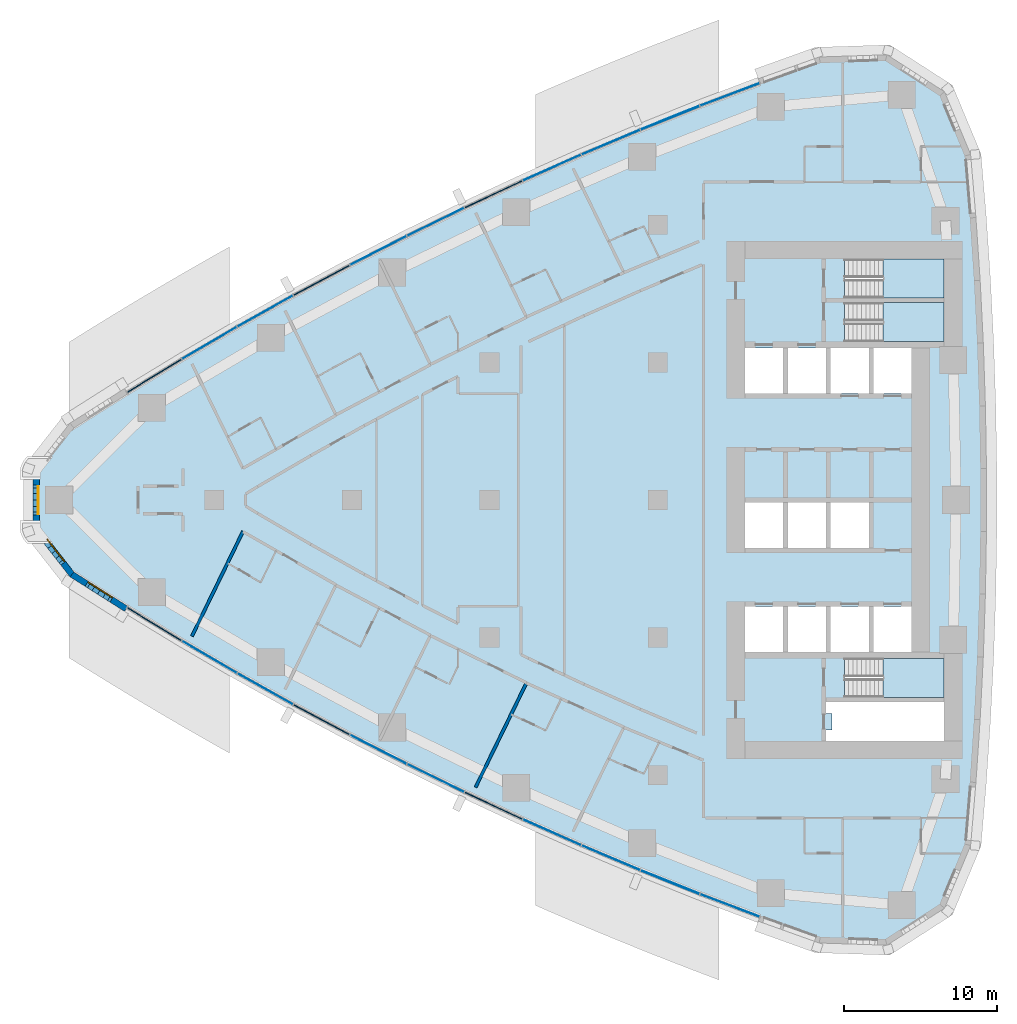
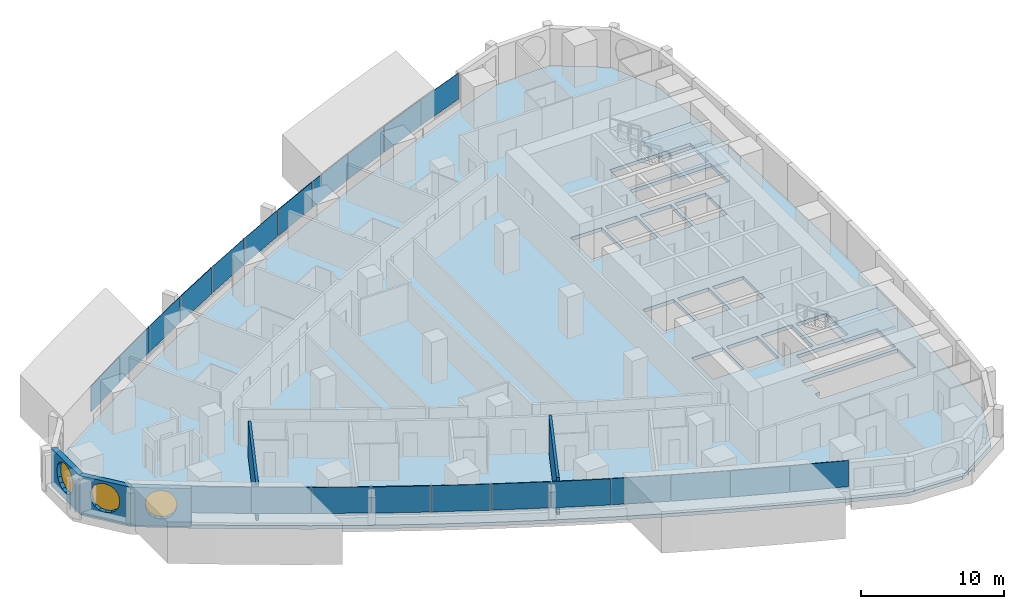
# One storey, part 8 of 19: 22 plates, 5 walls, 4 slabs, 3 windows, 4 openings, 13 elements without a shape of their own.
"""IFC4 building model written with IfcOpenShell, lengths in metres."""

from ifc_helpers import new_model, si_unit, direction, frame, frame_2d, origin, origin_2d, place, context, subcontext, project, spatial, polyline, rectangle, outline, extrude, material, layer, layer_set, type_object, element, fill, aggregate, save


model = new_model("IFC4")

# Units and contexts
model_context = context("Model", 3, precision=1e-05, world=origin(), true_north=direction((0.0, 1.0)))
body_context = subcontext(model_context, "Body", "Model", "MODEL_VIEW")
ifc_project = project(units=[si_unit("LENGTHUNIT", "METRE"), si_unit("AREAUNIT", "SQUARE_METRE"), si_unit("VOLUMEUNIT", "CUBIC_METRE"), si_unit("PLANEANGLEUNIT", "RADIAN"), si_unit("MASSUNIT", "GRAM", prefix="KILO")], contexts=[model_context])

# Site, building, storey
site_placement = place(None, origin())
site = spatial("IfcSite", under=ifc_project, at=site_placement, CompositionType="ELEMENT")
building_placement = place(site_placement, origin())
building = spatial("IfcBuilding", under=site, at=building_placement, Name="Ostrand Prow Hotel Tower", CompositionType="ELEMENT")
storey_placement = place(building_placement, frame((0.0, 0.0, 71.550048828125)))
storey = spatial("IfcBuildingStorey", under=building, at=storey_placement, Name="L16", CompositionType="ELEMENT", Elevation=71.550048828125)

# Curtain wall, plate
ifc_material_1 = material(Name="Insulated glass in bronze anodised frame", Category="glass")
ifc_layer_1 = layer(ifc_material_1, 0.199951171875)
ifc_layer_set_1 = layer_set([ifc_layer_1], Name="Insulated glass in bronze anodised frame")
curtain_wall_type = type_object("IfcCurtainWallType", Name="Strip curtain wall, fritted glass over bronze spandrel", PredefinedType="NOTDEFINED", material=ifc_layer_set_1)
curtain_wall_1_placement = place(storey_placement, origin())
curtain_wall_1 = element("IfcCurtainWall", 1, at=curtain_wall_1_placement, inside=storey, type_object=curtain_wall_type, Name="CW1 run CWS1", PredefinedType="NOTDEFINED")
ifc_material_2 = material(Name="Ceramic-fritted glass", Category="glass")
ifc_layer_2 = layer(ifc_material_2, 0.031982421875)
ifc_layer_set_2 = layer_set([ifc_layer_2], Name="Ceramic-fritted glass")
plate_type_1 = type_object("IfcPlateType", Name="Dot-fritted ceramic glass unit 32 mm", PredefinedType="CURTAIN_PANEL", material=ifc_layer_set_2)
plate_1_placement = place(storey_placement, frame((15.688720703125, -10.268798828125, 1.02001953125), z_axis=(0.0, 0.0, 1.0), x_axis=(0.863690392896, -0.50402272292, 0.0)))
plate_1 = element("IfcPlate", 2, at=plate_1_placement, type_object=plate_type_1, Name="CW1 PN-D panel 2.2", PredefinedType="CURTAIN_PANEL", context=body_context, shape_type="SweptSolid", body=[
    extrude(rectangle(XDim=4.13427734375, YDim=0.031982421875, at=origin_2d()), origin(), (0.0, 0.0, 1.0), 2.22998046875),
])

# Curtain wall, plates
curtain_wall_2_placement = place(storey_placement, origin())
curtain_wall_2 = element("IfcCurtainWall", 3, at=curtain_wall_2_placement, inside=storey, type_object=curtain_wall_type, Name="CW1 run CWS2", PredefinedType="NOTDEFINED")
plate_2_placement = place(storey_placement, frame((19.33056640625, -12.349365234375, 1.02001953125), z_axis=(0.0, 0.0, 1.0), x_axis=(0.872819029241, -0.488043996167, 0.0)))
plate_2 = element("IfcPlate", 4, at=plate_2_placement, type_object=plate_type_1, Name="CW1 PN-D panel 1.2", PredefinedType="CURTAIN_PANEL", context=body_context, shape_type="SweptSolid", body=[
    extrude(rectangle(XDim=4.13427734375, YDim=0.031982421875, at=origin_2d()), origin(), (0.0, 0.0, 1.0), 2.22998046875),
])
plate_3_placement = place(storey_placement, frame((26.7255859375, -16.3076171875, 1.02001953125), z_axis=(0.0, 0.0, 1.0), x_axis=(0.890186565631, -0.455596179055, 0.0)))
plate_3 = element("IfcPlate", 5, at=plate_3_placement, type_object=plate_type_1, Name="CW1 PN-D panel 3.2", PredefinedType="CURTAIN_PANEL", context=body_context, shape_type="SweptSolid", body=[
    extrude(rectangle(XDim=4.13427734375, YDim=0.031982421875, at=origin_2d()), origin(), (0.0, 0.0, 1.0), 2.22998046875),
])

# Curtain wall, plate
curtain_wall_3_placement = place(storey_placement, origin())
curtain_wall_3 = element("IfcCurtainWall", 6, at=curtain_wall_3_placement, inside=storey, type_object=curtain_wall_type, Name="CW1 run CWS3", PredefinedType="NOTDEFINED")
plate_4_placement = place(storey_placement, frame((30.4765625, -18.183837890625, 1.02001953125), z_axis=(0.0, 0.0, 1.0), x_axis=(0.898419584131, -0.439138077204, 0.0)))
plate_4 = element("IfcPlate", 7, at=plate_4_placement, type_object=plate_type_1, Name="CW1 PN-D panel 1.2", PredefinedType="CURTAIN_PANEL", context=body_context, shape_type="SweptSolid", body=[
    extrude(rectangle(XDim=4.13427734375, YDim=0.031982421875, at=origin_2d()), origin(), (0.0, 0.0, 1.0), 2.22998046875),
])

# Curtain wall, plates
curtain_wall_4_placement = place(storey_placement, origin())
curtain_wall_4 = element("IfcCurtainWall", 8, at=curtain_wall_4_placement, inside=storey, type_object=curtain_wall_type, Name="CW1 run CWS4", PredefinedType="NOTDEFINED")
plate_5_placement = place(storey_placement, frame((38.078857421875, -21.72802734375, 1.02001953125), z_axis=(0.0, 0.0, 1.0), x_axis=(0.913970890274, -0.405779757666, 0.0)))
plate_5 = element("IfcPlate", 9, at=plate_5_placement, type_object=plate_type_1, Name="CW1 PN-D panel 1.2", PredefinedType="CURTAIN_PANEL", context=body_context, shape_type="SweptSolid", body=[
    extrude(rectangle(XDim=4.13427734375, YDim=0.031982421875, at=origin_2d()), origin(), (0.0, 0.0, 1.0), 2.22998046875),
])
plate_6_placement = place(storey_placement, frame((41.927490234375, -23.39453125, 1.02001953125), z_axis=(0.0, 0.0, 1.0), x_axis=(0.921283173987, -0.388892418709, 0.0)))
plate_6 = element("IfcPlate", 10, at=plate_6_placement, type_object=plate_type_1, Name="CW1 PN-D panel 2.2", PredefinedType="CURTAIN_PANEL", context=body_context, shape_type="SweptSolid", body=[
    extrude(rectangle(XDim=4.13427734375, YDim=0.031982421875, at=origin_2d()), origin(), (0.0, 0.0, 1.0), 2.22998046875),
])
aggregate(curtain_wall_4, [plate_5, plate_6])

# Curtain wall, plate
curtain_wall_5_placement = place(storey_placement, origin())
curtain_wall_5 = element("IfcCurtainWall", 11, at=curtain_wall_5_placement, inside=storey, type_object=curtain_wall_type, Name="CW1 run CWS5", PredefinedType="NOTDEFINED")
plate_7_placement = place(storey_placement, frame((49.7138671875, -26.513671875, 1.02001953125), z_axis=(0.0, 0.0, 1.0), x_axis=(0.934969388384, -0.354728407072, 0.0)))
plate_7 = element("IfcPlate", 12, at=plate_7_placement, type_object=plate_type_1, Name="CW1 PN-D panel 2.2", PredefinedType="CURTAIN_PANEL", context=body_context, shape_type="SweptSolid", body=[
    extrude(rectangle(XDim=4.13427734375, YDim=0.031982421875, at=origin_2d()), origin(), (0.0, 0.0, 1.0), 2.22998046875),
])

curtain_wall_6_placement = place(storey_placement, origin())
curtain_wall_6 = element("IfcCurtainWall", 13, at=curtain_wall_6_placement, inside=storey, type_object=curtain_wall_type, Name="CW1 run CWN1", PredefinedType="NOTDEFINED")
plate_8_placement = place(storey_placement, frame((49.7138671875, 26.513671875, 1.02001953125), z_axis=(0.0, 0.0, 1.0), x_axis=(-0.934969388384, -0.354728407072, 0.0)))
plate_8 = element("IfcPlate", 14, at=plate_8_placement, type_object=plate_type_1, Name="CW1 PN-D panel 1.2", PredefinedType="CURTAIN_PANEL", context=body_context, shape_type="SweptSolid", body=[
    extrude(rectangle(XDim=4.13427734375, YDim=0.031982421875, at=origin_2d()), origin(), (0.0, 0.0, 1.0), 2.22998046875),
])

# Curtain wall, plates
curtain_wall_7_placement = place(storey_placement, origin())
curtain_wall_7 = element("IfcCurtainWall", 15, at=curtain_wall_7_placement, inside=storey, type_object=curtain_wall_type, Name="CW1 run CWN2", PredefinedType="NOTDEFINED")
plate_9_placement = place(storey_placement, frame((41.927490234375, 23.39453125, 1.02001953125), z_axis=(0.0, 0.0, 1.0), x_axis=(-0.921283173987, -0.388892418709, 0.0)))
plate_9 = element("IfcPlate", 16, at=plate_9_placement, type_object=plate_type_1, Name="CW1 PN-D panel 1.2", PredefinedType="CURTAIN_PANEL", context=body_context, shape_type="SweptSolid", body=[
    extrude(rectangle(XDim=4.13427734375, YDim=0.031982421875, at=origin_2d()), origin(), (0.0, 0.0, 1.0), 2.22998046875),
])
plate_10_placement = place(storey_placement, frame((38.078857421875, 21.72802734375, 1.02001953125), z_axis=(0.0, 0.0, 1.0), x_axis=(-0.913970890274, -0.405779757666, 0.0)))
plate_10 = element("IfcPlate", 17, at=plate_10_placement, type_object=plate_type_1, Name="CW1 PN-D panel 2.2", PredefinedType="CURTAIN_PANEL", context=body_context, shape_type="SweptSolid", body=[
    extrude(rectangle(XDim=4.13427734375, YDim=0.031982421875, at=origin_2d()), origin(), (0.0, 0.0, 1.0), 2.22998046875),
])
aggregate(curtain_wall_7, [plate_9, plate_10])

# Curtain wall, plate
curtain_wall_8_placement = place(storey_placement, origin())
curtain_wall_8 = element("IfcCurtainWall", 18, at=curtain_wall_8_placement, inside=storey, type_object=curtain_wall_type, Name="CW1 run CWN3", PredefinedType="NOTDEFINED")
plate_11_placement = place(storey_placement, frame((30.4765625, 18.183837890625, 1.02001953125), z_axis=(0.0, 0.0, 1.0), x_axis=(-0.898419584131, -0.439138077204, 0.0)))
plate_11 = element("IfcPlate", 19, at=plate_11_placement, type_object=plate_type_1, Name="CW1 PN-D panel 2.2", PredefinedType="CURTAIN_PANEL", context=body_context, shape_type="SweptSolid", body=[
    extrude(rectangle(XDim=4.13427734375, YDim=0.031982421875, at=origin_2d()), origin(), (0.0, 0.0, 1.0), 2.22998046875),
])

# Curtain wall, plates
curtain_wall_9_placement = place(storey_placement, origin())
curtain_wall_9 = element("IfcCurtainWall", 20, at=curtain_wall_9_placement, inside=storey, type_object=curtain_wall_type, Name="CW1 run CWN4", PredefinedType="NOTDEFINED")
plate_12_placement = place(storey_placement, frame((26.7255859375, 16.3076171875, 1.02001953125), z_axis=(0.0, 0.0, 1.0), x_axis=(-0.890186565631, -0.455596179055, 0.0)))
plate_12 = element("IfcPlate", 21, at=plate_12_placement, type_object=plate_type_1, Name="CW1 PN-D panel 1.2", PredefinedType="CURTAIN_PANEL", context=body_context, shape_type="SweptSolid", body=[
    extrude(rectangle(XDim=4.13427734375, YDim=0.031982421875, at=origin_2d()), origin(), (0.0, 0.0, 1.0), 2.22998046875),
])
plate_13_placement = place(storey_placement, frame((19.33056640625, 12.349365234375, 1.02001953125), z_axis=(0.0, 0.0, 1.0), x_axis=(-0.872819029241, -0.488043996167, 0.0)))
plate_13 = element("IfcPlate", 22, at=plate_13_placement, type_object=plate_type_1, Name="CW1 PN-D panel 3.2", PredefinedType="CURTAIN_PANEL", context=body_context, shape_type="SweptSolid", body=[
    extrude(rectangle(XDim=4.13427734375, YDim=0.031982421875, at=origin_2d()), origin(), (0.0, 0.0, 1.0), 2.22998046875),
])

# Curtain wall, plate
curtain_wall_10_placement = place(storey_placement, origin())
curtain_wall_10 = element("IfcCurtainWall", 23, at=curtain_wall_10_placement, inside=storey, type_object=curtain_wall_type, Name="CW1 run CWN5", PredefinedType="NOTDEFINED")
plate_14_placement = place(storey_placement, frame((15.688720703125, 10.268798828125, 1.02001953125), z_axis=(0.0, 0.0, 1.0), x_axis=(-0.863690392896, -0.50402272292, 0.0)))
plate_14 = element("IfcPlate", 24, at=plate_14_placement, type_object=plate_type_1, Name="CW1 PN-D panel 1.2", PredefinedType="CURTAIN_PANEL", context=body_context, shape_type="SweptSolid", body=[
    extrude(rectangle(XDim=4.13427734375, YDim=0.031982421875, at=origin_2d()), origin(), (0.0, 0.0, 1.0), 2.22998046875),
])

# Plate
ifc_material_3 = material(Name="Fritted glass in bronze vent frame", Category="glass")
ifc_layer_3 = layer(ifc_material_3, 0.06005859375)
ifc_layer_set_3 = layer_set([ifc_layer_3], Name="Fritted glass in bronze vent frame")
plate_type_2 = type_object("IfcPlateType", Name="Operable vent panel 60 mm", PredefinedType="CURTAIN_PANEL", material=ifc_layer_set_3)
plate_15_placement = place(storey_placement, frame((12.0859375, -8.12158203125, 1.02001953125), z_axis=(0.0, 0.0, 1.0), x_axis=(0.854269266322, -0.519830761515, 0.0)))
plate_15 = element("IfcPlate", 25, at=plate_15_placement, type_object=plate_type_2, Name="CW1 PN-O panel 1.2", PredefinedType="CURTAIN_PANEL", context=body_context, shape_type="SweptSolid", body=[
    extrude(rectangle(XDim=4.13427734375, YDim=0.06005859375, at=origin_2d()), origin(), (0.0, 0.0, 1.0), 2.22998046875),
])

aggregate(curtain_wall_1, [plate_15, plate_1])

plate_16_placement = place(storey_placement, frame((23.009765625, -14.362548828125, 1.02001953125), z_axis=(0.0, 0.0, 1.0), x_axis=(0.881652083929, -0.471899992481, 0.0)))
plate_16 = element("IfcPlate", 26, at=plate_16_placement, type_object=plate_type_2, Name="CW1 PN-O panel 2.2", PredefinedType="CURTAIN_PANEL", context=body_context, shape_type="SweptSolid", body=[
    extrude(rectangle(XDim=4.13427734375, YDim=0.06005859375, at=origin_2d()), origin(), (0.0, 0.0, 1.0), 2.22998046875),
])

aggregate(curtain_wall_2, [plate_2, plate_16, plate_3])

plate_17_placement = place(storey_placement, frame((34.26123046875, -19.990966796875, 1.02001953125), z_axis=(0.0, 0.0, 1.0), x_axis=(0.906349088757, -0.422529678615, 0.0)))
plate_17 = element("IfcPlate", 27, at=plate_17_placement, type_object=plate_type_2, Name="CW1 PN-O panel 2.2", PredefinedType="CURTAIN_PANEL", context=body_context, shape_type="SweptSolid", body=[
    extrude(rectangle(XDim=4.13427734375, YDim=0.06005859375, at=origin_2d()), origin(), (0.0, 0.0, 1.0), 2.22998046875),
])

aggregate(curtain_wall_3, [plate_4, plate_17])

plate_18_placement = place(storey_placement, frame((45.806396484375, -24.989990234375, 1.02001953125), z_axis=(0.0, 0.0, 1.0), x_axis=(0.928283463577, -0.371873380669, 0.0)))
plate_18 = element("IfcPlate", 28, at=plate_18_placement, type_object=plate_type_2, Name="CW1 PN-O panel 1.2", PredefinedType="CURTAIN_PANEL", context=body_context, shape_type="SweptSolid", body=[
    extrude(rectangle(XDim=4.13427734375, YDim=0.06005859375, at=origin_2d()), origin(), (0.0, 0.0, 1.0), 2.22998046875),
])

aggregate(curtain_wall_5, [plate_18, plate_7])

plate_19_placement = place(storey_placement, frame((45.806396484375, 24.989990234375, 1.02001953125), z_axis=(0.0, 0.0, 1.0), x_axis=(-0.928283463577, -0.371873380669, 0.0)))
plate_19 = element("IfcPlate", 29, at=plate_19_placement, type_object=plate_type_2, Name="CW1 PN-O panel 2.2", PredefinedType="CURTAIN_PANEL", context=body_context, shape_type="SweptSolid", body=[
    extrude(rectangle(XDim=4.13427734375, YDim=0.06005859375, at=origin_2d()), origin(), (0.0, 0.0, 1.0), 2.22998046875),
])

aggregate(curtain_wall_6, [plate_8, plate_19])

plate_20_placement = place(storey_placement, frame((34.26123046875, 19.990966796875, 1.02001953125), z_axis=(0.0, 0.0, 1.0), x_axis=(-0.906349088757, -0.422529678615, 0.0)))
plate_20 = element("IfcPlate", 30, at=plate_20_placement, type_object=plate_type_2, Name="CW1 PN-O panel 1.2", PredefinedType="CURTAIN_PANEL", context=body_context, shape_type="SweptSolid", body=[
    extrude(rectangle(XDim=4.13427734375, YDim=0.06005859375, at=origin_2d()), origin(), (0.0, 0.0, 1.0), 2.22998046875),
])

aggregate(curtain_wall_8, [plate_20, plate_11])

plate_21_placement = place(storey_placement, frame((23.009765625, 14.362548828125, 1.02001953125), z_axis=(0.0, 0.0, 1.0), x_axis=(-0.881652083929, -0.471899992481, 0.0)))
plate_21 = element("IfcPlate", 31, at=plate_21_placement, type_object=plate_type_2, Name="CW1 PN-O panel 2.2", PredefinedType="CURTAIN_PANEL", context=body_context, shape_type="SweptSolid", body=[
    extrude(rectangle(XDim=4.13427734375, YDim=0.06005859375, at=origin_2d()), origin(), (0.0, 0.0, 1.0), 2.22998046875),
])

aggregate(curtain_wall_9, [plate_12, plate_21, plate_13])

plate_22_placement = place(storey_placement, frame((12.0859375, 8.12158203125, 1.02001953125), z_axis=(0.0, 0.0, 1.0), x_axis=(-0.854269266322, -0.519830761515, 0.0)))
plate_22 = element("IfcPlate", 32, at=plate_22_placement, type_object=plate_type_2, Name="CW1 PN-O panel 2.2", PredefinedType="CURTAIN_PANEL", context=body_context, shape_type="SweptSolid", body=[
    extrude(rectangle(XDim=4.13427734375, YDim=0.06005859375, at=origin_2d()), origin(), (0.0, 0.0, 1.0), 2.22998046875),
])

aggregate(curtain_wall_10, [plate_14, plate_22])

# Slab, opening
ifc_material_4 = material(Name="Concrete C40/50", Category="concrete")
ifc_layer_4 = layer(ifc_material_4, 0.300048828125)
ifc_layer_set_4 = layer_set([ifc_layer_4], Name="Concrete C40/50")
slab_type_1 = type_object("IfcSlabType", Name="PT flat plate 300 C40/50", PredefinedType="FLOOR", material=ifc_layer_set_4)
slab_1_placement = place(storey_placement, frame((0.0, 0.0, -0.300048828125)))
slab_1 = element("IfcSlab", 33, at=slab_1_placement, inside=storey, type_object=slab_type_1, Name="Floor slab L16-1", PredefinedType="FLOOR", context=body_context, shape_type="SweptSolid", body=[
    extrude(outline(polyline([(6.690673828125, 4.805908203125), (10.26806640625, 7.073974609375), (13.851806640625, 9.2548828125), (17.47509765625, 11.369384765625), (21.136962890625, 13.416748046875), (24.83544921875, 15.396484375), (28.570068359375, 17.3076171875), (32.339111328125, 19.14990234375), (36.141357421875, 20.922607421875), (39.9755859375, 22.625), (43.840576171875, 24.25634765625), (47.73486328125, 25.81640625), (51.6572265625, 27.3046875), (55.64111328125, 28.73291015625), (59.92333984375, 28.873046875), (63.55908203125, 26.53369140625), (65.2060546875, 22.578369140625), (65.552978515625, 18.45166015625), (65.828369140625, 14.356689453125), (66.034912109375, 10.2578125), (66.172607421875, 6.15576171875), (66.241455078125, 2.052001953125), (66.241455078125, -2.052001953125), (66.172607421875, -6.15576171875), (66.034912109375, -10.2578125), (65.828369140625, -14.356689453125), (65.552978515625, -18.45166015625), (65.2060546875, -22.578369140625), (63.55908203125, -26.53369140625), (59.92333984375, -28.873046875), (55.64111328125, -28.73291015625), (51.6572265625, -27.3046875), (47.73486328125, -25.81640625), (43.840576171875, -24.25634765625), (39.9755859375, -22.625), (36.141357421875, -20.922607421875), (32.339111328125, -19.14990234375), (28.570068359375, -17.3076171875), (24.83544921875, -15.396484375), (21.136962890625, -13.416748046875), (17.47509765625, -11.369384765625), (13.851806640625, -9.2548828125), (10.26806640625, -7.073974609375), (6.690673828125, -4.805908203125), (4.399169921875, -1.8798828125), (4.399169921875, 1.8798828125), (6.690673828125, 4.805908203125)]), holes=[polyline([(50.699951171875, 6.949951171875), (53.199951171875, 6.949951171875), (53.199951171875, 9.949951171875), (50.699951171875, 9.949951171875), (50.699951171875, 6.949951171875)]), polyline([(53.5, 6.949951171875), (56.0, 6.949951171875), (56.0, 9.949951171875), (53.5, 9.949951171875), (53.5, 6.949951171875)]), polyline([(56.300048828125, 6.949951171875), (58.800048828125, 6.949951171875), (58.800048828125, 9.949951171875), (56.300048828125, 9.949951171875), (56.300048828125, 6.949951171875)]), polyline([(59.10009765625, 6.949951171875), (61.60009765625, 6.949951171875), (61.60009765625, 9.949951171875), (59.10009765625, 9.949951171875), (59.10009765625, 6.949951171875)]), polyline([(50.699951171875, -3.14990234375), (53.199951171875, -3.14990234375), (53.199951171875, -0.14990234375), (50.699951171875, -0.14990234375), (50.699951171875, -3.14990234375)]), polyline([(53.5, -3.14990234375), (56.0, -3.14990234375), (56.0, -0.14990234375), (53.5, -0.14990234375), (53.5, -3.14990234375)]), polyline([(56.300048828125, -3.14990234375), (58.800048828125, -3.14990234375), (58.800048828125, -0.14990234375), (56.300048828125, -0.14990234375), (56.300048828125, -3.14990234375)]), polyline([(50.699951171875, -9.949951171875), (53.199951171875, -9.949951171875), (53.199951171875, -6.949951171875), (50.699951171875, -6.949951171875), (50.699951171875, -9.949951171875)]), polyline([(53.5, -9.949951171875), (56.0, -9.949951171875), (56.0, -6.949951171875), (53.5, -6.949951171875), (53.5, -9.949951171875)]), polyline([(56.300048828125, -9.949951171875), (58.800048828125, -9.949951171875), (58.800048828125, -6.949951171875), (56.300048828125, -6.949951171875), (56.300048828125, -9.949951171875)]), polyline([(59.10009765625, -9.949951171875), (61.60009765625, -9.949951171875), (61.60009765625, -6.949951171875), (59.10009765625, -6.949951171875), (59.10009765625, -9.949951171875)]), polyline([(57.200927734375, 10.35107421875), (57.200927734375, 12.89892578125), (63.718994140625, 12.89892578125), (63.718994140625, 10.35107421875), (57.200927734375, 10.35107421875)]), polyline([(57.200927734375, 13.200927734375), (57.200927734375, 15.7490234375), (63.718994140625, 15.7490234375), (63.718994140625, 13.200927734375), (57.200927734375, 13.200927734375)]), polyline([(57.200927734375, -12.89892578125), (57.200927734375, -10.35107421875), (63.718994140625, -10.35107421875), (63.718994140625, -12.89892578125), (57.200927734375, -12.89892578125)]), polyline([(56.0, -13.199951171875), (63.719970703125, -13.199951171875), (63.719970703125, -15.75), (56.0, -15.75), (56.0, -15.050048828125), (56.39990234375, -15.050048828125), (56.39990234375, -13.949951171875), (56.0, -13.949951171875), (56.0, -13.199951171875)])]), origin(), (0.0, 0.0, 1.0), 0.300048828125),
])
opening_1_placement = place(slab_1_placement, origin())
element("IfcOpeningElement", 34, at=opening_1_placement, cuts=slab_1, Name="Shaft opening 1", PredefinedType="OPENING", context=body_context, shape_type="SweptSolid", body=[
    extrude(outline(polyline([(56.0, -13.199951171875), (63.719970703125, -13.199951171875), (63.719970703125, -15.75), (56.0, -15.75), (56.0, -15.050048828125), (56.39990234375, -15.050048828125), (56.39990234375, -13.949951171875), (56.0, -13.949951171875), (56.0, -13.199951171875)])), origin(), (0.0, 0.0, 1.0), 0.300048828125),
])

# Stair, slab
ifc_material_5 = material(Name="Concrete C40/50", Category="concrete")
stair_type = type_object("IfcStairType", Name="Exit stair 1200 upper zone", PredefinedType="HALF_TURN_STAIR", material=ifc_material_5)
stair_1_placement = place(storey_placement, origin())
stair_1 = element("IfcStair", 35, at=stair_1_placement, inside=storey, type_object=stair_type, Name="L16 ST1C", PredefinedType="HALF_TURN_STAIR")
ifc_material_6 = material(Name="Concrete C40/50", Category="concrete")
ifc_layer_5 = layer(ifc_material_6, 0.199951171875)
ifc_layer_set_5 = layer_set([ifc_layer_5], Name="Concrete C40/50")
slab_type_2 = type_object("IfcSlabType", Name="Stair landing 200 concrete", PredefinedType="LANDING", material=ifc_layer_set_5)
slab_2_placement = place(storey_placement, frame((0.0, 0.0, 1.574951171875)))
slab_2 = element("IfcSlab", 36, at=slab_2_placement, type_object=slab_type_2, Name="ST1C landing 1", PredefinedType="LANDING", context=body_context, shape_type="SweptSolid", body=[
    extrude(outline(polyline([(59.719970703125, 10.35009765625), (63.719970703125, 10.35009765625), (63.719970703125, 12.89990234375), (59.719970703125, 12.89990234375), (59.719970703125, 10.35009765625)])), origin(), (0.0, 0.0, 1.0), 0.199951171875),
])
aggregate(stair_1, [slab_2])

stair_2_placement = place(storey_placement, origin())
stair_2 = element("IfcStair", 37, at=stair_2_placement, inside=storey, type_object=stair_type, Name="L16 ST3C", PredefinedType="HALF_TURN_STAIR")
slab_3_placement = place(storey_placement, frame((0.0, 0.0, 1.574951171875)))
slab_3 = element("IfcSlab", 38, at=slab_3_placement, type_object=slab_type_2, Name="ST3C landing 1", PredefinedType="LANDING", context=body_context, shape_type="SweptSolid", body=[
    extrude(outline(polyline([(59.719970703125, 13.199951171875), (63.719970703125, 13.199951171875), (63.719970703125, 15.75), (59.719970703125, 15.75), (59.719970703125, 13.199951171875)])), origin(), (0.0, 0.0, 1.0), 0.199951171875),
])
aggregate(stair_2, [slab_3])

stair_3_placement = place(storey_placement, origin())
stair_3 = element("IfcStair", 39, at=stair_3_placement, inside=storey, type_object=stair_type, Name="L16 ST2C", PredefinedType="HALF_TURN_STAIR")
slab_4_placement = place(storey_placement, frame((0.0, 0.0, 1.574951171875)))
slab_4 = element("IfcSlab", 40, at=slab_4_placement, type_object=slab_type_2, Name="ST2C landing 1", PredefinedType="LANDING", context=body_context, shape_type="SweptSolid", body=[
    extrude(outline(polyline([(59.719970703125, -12.89990234375), (63.719970703125, -12.89990234375), (63.719970703125, -10.35009765625), (59.719970703125, -10.35009765625), (59.719970703125, -12.89990234375)])), origin(), (0.0, 0.0, 1.0), 0.199951171875),
])
aggregate(stair_3, [slab_4])

# Walls
ifc_material_7 = material(Name="Plasterboard partition")
ifc_layer_6 = layer(ifc_material_7, 0.199951171875)
ifc_layer_set_6 = layer_set([ifc_layer_6], Name="Plasterboard partition")
wall_type_1 = type_object("IfcWallType", Name="Partition 200 key partition", PredefinedType="PARTITIONING", material=ifc_layer_set_6)
wall_1_placement = place(storey_placement, frame((14.540771484375, -8.904296875, 0.0), z_axis=(0.0, 0.0, 1.0), x_axis=(0.438213564788, 0.898870887078, 0.0)))
element("IfcWall", 41, at=wall_1_placement, inside=storey, type_object=wall_type_1, Name="KEY PARTITION", PredefinedType="PARTITIONING", context=body_context, shape_type="SweptSolid", body=[
    extrude(rectangle(XDim=7.62548828125, YDim=0.199951171875, at=frame_2d((3.812744140625, 0.0))), origin(), (0.0, 0.0, 1.0), 3.14990234375),
])
wall_2_placement = place(storey_placement, frame((33.087890625, -18.781982421875, 0.0), z_axis=(0.0, 0.0, 1.0), x_axis=(0.438197705697, 0.898878618459, 0.0)))
element("IfcWall", 42, at=wall_2_placement, inside=storey, type_object=wall_type_1, Name="KEY PARTITION", PredefinedType="PARTITIONING", context=body_context, shape_type="SweptSolid", body=[
    extrude(rectangle(XDim=7.60107421875, YDim=0.199951171875, at=frame_2d((3.800537109375, 0.0))), origin(), (0.0, 0.0, 1.0), 3.14990234375),
])

# Wall, opening, window
ifc_material_8 = material(Name="Precast concrete C40/50", Category="concrete")
ifc_layer_7 = layer(ifc_material_8, 0.39990234375)
ifc_layer_set_7 = layer_set([ifc_layer_7], Name="Precast concrete C40/50")
wall_type_2 = type_object("IfcWallType", Name="Stone-faced precast wall 400 mm", PredefinedType="NOTDEFINED", material=ifc_layer_set_7)
wall_3_placement = place(storey_placement, frame((4.365478515625, 1.891357421875, 0.0), z_axis=(0.0, 0.0, 1.0), x_axis=(0.0, -1.0, 0.0)))
wall_3 = element("IfcWall", 43, at=wall_3_placement, inside=storey, type_object=wall_type_2, Name="Stone-faced wall prow 3", PredefinedType="NOTDEFINED", context=body_context, shape_type="SweptSolid", body=[
    extrude(outline(polyline([(-0.069091796875, -0.199951171875), (3.851806640625, -0.199951171875), (3.713623046875, 0.199951171875), (0.069091796875, 0.199951171875), (-0.069091796875, -0.199951171875)])), origin(), (0.0, 0.0, 1.0), 3.25),
])
opening_2_placement = place(wall_3_placement, frame((0.79150390625, 0.0, 0.60009765625)))
opening_2 = element("IfcOpeningElement", 44, at=opening_2_placement, cuts=wall_3, Name="Opening WP1", PredefinedType="OPENING", context=body_context, shape_type="SweptSolid", body=[
    extrude(outline(polyline([(0.0, 1.35009765625), (0.083740234375, 1.77099609375), (0.322265625, 2.127685546875), (0.678955078125, 2.3662109375), (1.10009765625, 2.449951171875), (1.52099609375, 2.3662109375), (1.877685546875, 2.127685546875), (2.1162109375, 1.77099609375), (2.199951171875, 1.35009765625), (2.199951171875, 1.10009765625), (2.1162109375, 0.678955078125), (1.877685546875, 0.322265625), (1.52099609375, 0.083740234375), (1.10009765625, 0.0), (0.678955078125, 0.083740234375), (0.322265625, 0.322265625), (0.083740234375, 0.678955078125), (0.0, 1.099853515625), (0.0, 1.35009765625)])), frame((0.0, 0.2099609375, 0.0), z_axis=(0.0, -1.0, 0.0), x_axis=(1.0, 0.0, 0.0)), (0.0, 0.0, 1.0), 0.419921875),
])
ifc_material_9 = material(Name="Insulated glass in bronze frame", Category="glass")
window_type = type_object("IfcWindowType", Name="Round-ended prow window 2200x2450", PartitioningType="SINGLE_PANEL", PredefinedType="WINDOW", material=ifc_material_9)
window_1_placement = place(opening_2_placement, origin())
window_1 = element("IfcWindow", 45, at=window_1_placement, inside=storey, type_object=window_type, Name="Window prow 3.1", OverallHeight=2.449951171875, OverallWidth=2.199951171875, PartitioningType="SINGLE_PANEL", PredefinedType="WINDOW", context=body_context, shape_type="SweptSolid", body=[
    extrude(outline(polyline([(0.0, 1.35009765625), (0.083740234375, 1.77099609375), (0.322265625, 2.127685546875), (0.678955078125, 2.3662109375), (1.10009765625, 2.449951171875), (1.52099609375, 2.3662109375), (1.877685546875, 2.127685546875), (2.1162109375, 1.77099609375), (2.199951171875, 1.35009765625), (2.199951171875, 1.10009765625), (2.1162109375, 0.678955078125), (1.877685546875, 0.322265625), (1.52099609375, 0.083740234375), (1.10009765625, 0.0), (0.678955078125, 0.083740234375), (0.322265625, 0.322265625), (0.083740234375, 0.678955078125), (0.0, 1.099853515625), (0.0, 1.35009765625)])), frame((0.0, 0.169921875, 0.0), z_axis=(0.0, -1.0, 0.0), x_axis=(1.0, 0.0, 0.0)), (0.0, 0.0, 1.0), 0.06005859375),
])
fill(opening_2, window_1)

wall_4_placement = place(storey_placement, frame((4.365478515625, -1.891357421875, 0.0), z_axis=(0.0, 0.0, 1.0), x_axis=(0.616586647779, -0.787287054245, 0.0)))
wall_4 = element("IfcWall", 46, at=wall_4_placement, inside=storey, type_object=wall_type_2, Name="Stone-faced wall prow 4", PredefinedType="NOTDEFINED", context=body_context, shape_type="SweptSolid", body=[
    extrude(outline(polyline([(-0.069091796875, -0.199951171875), (3.8173828125, -0.199951171875), (3.74853515625, 0.199951171875), (0.069091796875, 0.199951171875), (-0.069091796875, -0.199951171875)])), origin(), (0.0, 0.0, 1.0), 3.25),
])
opening_3_placement = place(wall_4_placement, frame((0.79150390625, 0.0, 0.60009765625)))
opening_3 = element("IfcOpeningElement", 47, at=opening_3_placement, cuts=wall_4, Name="Opening WP1", PredefinedType="OPENING", context=body_context, shape_type="SweptSolid", body=[
    extrude(outline(polyline([(0.0, 1.35009765625), (0.083740234375, 1.77099609375), (0.322265625, 2.127685546875), (0.678955078125, 2.3662109375), (1.10009765625, 2.449951171875), (1.52099609375, 2.3662109375), (1.877685546875, 2.127685546875), (2.1162109375, 1.77099609375), (2.199951171875, 1.35009765625), (2.199951171875, 1.10009765625), (2.1162109375, 0.678955078125), (1.877685546875, 0.322265625), (1.52099609375, 0.083740234375), (1.10009765625, 0.0), (0.678955078125, 0.083740234375), (0.322265625, 0.322265625), (0.083740234375, 0.678955078125), (0.0, 1.099853515625), (0.0, 1.35009765625)])), frame((0.0, 0.2099609375, 0.0), z_axis=(0.0, -1.0, 0.0), x_axis=(1.0, 0.0, 0.0)), (0.0, 0.0, 1.0), 0.419921875),
])
window_2_placement = place(opening_3_placement, origin())
window_2 = element("IfcWindow", 48, at=window_2_placement, inside=storey, type_object=window_type, Name="Window prow 4.1", OverallHeight=2.449951171875, OverallWidth=2.199951171875, PartitioningType="SINGLE_PANEL", PredefinedType="WINDOW", context=body_context, shape_type="SweptSolid", body=[
    extrude(outline(polyline([(0.0, 1.35009765625), (0.083740234375, 1.77099609375), (0.322265625, 2.127685546875), (0.678955078125, 2.3662109375), (1.10009765625, 2.449951171875), (1.52099609375, 2.3662109375), (1.877685546875, 2.127685546875), (2.1162109375, 1.77099609375), (2.199951171875, 1.35009765625), (2.199951171875, 1.10009765625), (2.1162109375, 0.678955078125), (1.877685546875, 0.322265625), (1.52099609375, 0.083740234375), (1.10009765625, 0.0), (0.678955078125, 0.083740234375), (0.322265625, 0.322265625), (0.083740234375, 0.678955078125), (0.0, 1.099853515625), (0.0, 1.35009765625)])), frame((0.0, 0.169921875, 0.0), z_axis=(0.0, -1.0, 0.0), x_axis=(1.0, 0.0, 0.0)), (0.0, 0.0, 1.0), 0.06005859375),
])
fill(opening_3, window_2)

wall_5_placement = place(storey_placement, frame((6.697998046875, -4.86962890625, 0.0), z_axis=(0.0, 0.0, 1.0), x_axis=(0.844551578623, -0.535474211372, 0.0)))
wall_5 = element("IfcWall", 49, at=wall_5_placement, inside=storey, type_object=wall_type_2, Name="Stone-faced wall prow 5", PredefinedType="NOTDEFINED", context=body_context, shape_type="SweptSolid", body=[
    extrude(outline(polyline([(-0.034423828125, -0.199951171875), (4.196044921875, -0.199951171875), (4.196044921875, 0.199951171875), (0.034423828125, 0.199951171875), (-0.034423828125, -0.199951171875)])), origin(), (0.0, 0.0, 1.0), 3.25),
])
opening_4_placement = place(wall_5_placement, frame((0.998046875, 0.0, 0.60009765625)))
opening_4 = element("IfcOpeningElement", 50, at=opening_4_placement, cuts=wall_5, Name="Opening WP1", PredefinedType="OPENING", context=body_context, shape_type="SweptSolid", body=[
    extrude(outline(polyline([(0.0, 1.35009765625), (0.083740234375, 1.77099609375), (0.322265625, 2.127685546875), (0.678955078125, 2.3662109375), (1.10009765625, 2.449951171875), (1.52099609375, 2.3662109375), (1.877685546875, 2.127685546875), (2.1162109375, 1.77099609375), (2.199951171875, 1.35009765625), (2.199951171875, 1.10009765625), (2.1162109375, 0.678955078125), (1.877685546875, 0.322265625), (1.52099609375, 0.083740234375), (1.10009765625, 0.0), (0.678955078125, 0.083740234375), (0.322265625, 0.322265625), (0.083740234375, 0.678955078125), (0.0, 1.099853515625), (0.0, 1.35009765625)])), frame((0.0, 0.2099609375, 0.0), z_axis=(0.0, -1.0, 0.0), x_axis=(1.0, 0.0, 0.0)), (0.0, 0.0, 1.0), 0.419921875),
])
window_3_placement = place(opening_4_placement, origin())
window_3 = element("IfcWindow", 51, at=window_3_placement, inside=storey, type_object=window_type, Name="Window prow 5.1", OverallHeight=2.449951171875, OverallWidth=2.199951171875, PartitioningType="SINGLE_PANEL", PredefinedType="WINDOW", context=body_context, shape_type="SweptSolid", body=[
    extrude(outline(polyline([(0.0, 1.35009765625), (0.083740234375, 1.77099609375), (0.322265625, 2.127685546875), (0.678955078125, 2.3662109375), (1.10009765625, 2.449951171875), (1.52099609375, 2.3662109375), (1.877685546875, 2.127685546875), (2.1162109375, 1.77099609375), (2.199951171875, 1.35009765625), (2.199951171875, 1.10009765625), (2.1162109375, 0.678955078125), (1.877685546875, 0.322265625), (1.52099609375, 0.083740234375), (1.10009765625, 0.0), (0.678955078125, 0.083740234375), (0.322265625, 0.322265625), (0.083740234375, 0.678955078125), (0.0, 1.099853515625), (0.0, 1.35009765625)])), frame((0.0, 0.169921875, 0.0), z_axis=(0.0, -1.0, 0.0), x_axis=(1.0, 0.0, 0.0)), (0.0, 0.0, 1.0), 0.06005859375),
])
fill(opening_4, window_3)

save(model, "model.ifc")
